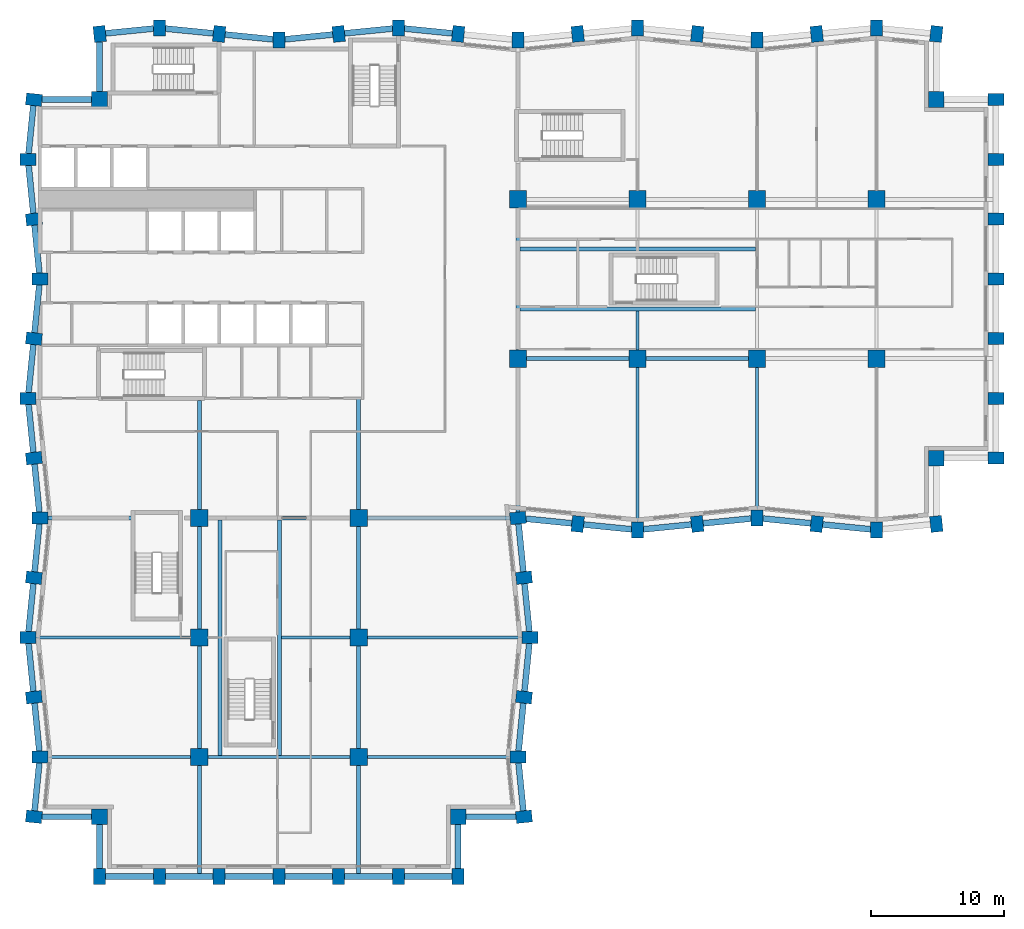
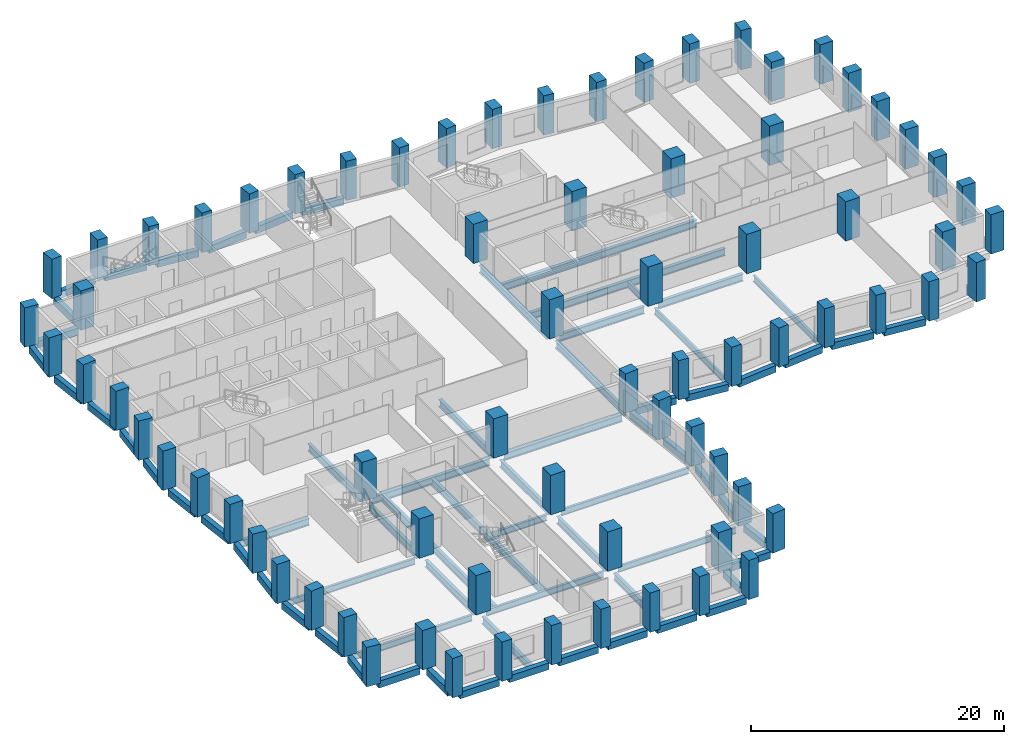
# One storey, part 1 of 11: 74 columns, 69 beams.
"""IFC4 building model written with IfcOpenShell, lengths in metres."""

from ifc_helpers import new_model, si_unit, direction, frame, origin, origin_2d, place, context, subcontext, project, spatial, rectangle, i_section, extrude, material, material_profile, profile_set, type_object, element, save


model = new_model("IFC4")

# Units and contexts
model_context = context("Model", 3, precision=1e-05, world=origin(), true_north=direction((0.0, 1.0)))
body_context = subcontext(model_context, "Body", "Model", "MODEL_VIEW")
ifc_project = project(units=[si_unit("LENGTHUNIT", "METRE"), si_unit("AREAUNIT", "SQUARE_METRE"), si_unit("VOLUMEUNIT", "CUBIC_METRE"), si_unit("PLANEANGLEUNIT", "RADIAN"), si_unit("MASSUNIT", "GRAM", prefix="KILO")], contexts=[model_context])

# Site, building, storey
site_placement = place(None, origin())
site = spatial("IfcSite", under=ifc_project, at=site_placement, CompositionType="ELEMENT")
building_placement = place(site_placement, origin())
building = spatial("IfcBuilding", under=site, at=building_placement, Name="Brondeck Convention Tower", CompositionType="ELEMENT")
storey_placement = place(building_placement, frame((0.0, 0.0, 115.10009765625)))
storey = spatial("IfcBuildingStorey", under=building, at=storey_placement, Name="L27", CompositionType="ELEMENT", Elevation=115.10009765625)

# Columns
ifc_material_1 = material(Name="Concrete C70/85", Category="concrete")
ifc_material_profile_1 = material_profile(ifc_material_1, rectangle(XDim=1.199951171875, YDim=1.199951171875, at=origin_2d()), Name="Corner column 1200x1200 Concrete C70/85")
ifc_profile_set_1 = profile_set([ifc_material_profile_1], Name="Concrete C70/85")
column_type_1 = type_object("IfcColumnType", Name="Corner column 1200x1200 Concrete C70/85", PredefinedType="COLUMN", material=ifc_profile_set_1)
for number, where, z_axis, x_axis, name in (
    (1, (4.5, 4.5, 0.0), (0.0, 0.0, 1.0), (1.0, 0.0, 0.0), "STR-COL-L27-NC-SWB0"),
    (2, (31.5, 4.5, 0.0), (0.0, 0.0, 1.0), (1.0, 0.0, 0.0), "STR-COL-L27-NC-SEB0"),
    (3, (67.5, 31.5, 0.0), (0.0, 0.0, 1.0), (1.0, 0.0, 0.0), "STR-COL-L27-NC-SEA72"),
    (4, (67.5, 58.5, 0.0), (0.0, 0.0, 1.0), (1.0, 0.0, 0.0), "STR-COL-L27-NC-NEA72"),
    (5, (4.5, 58.5, 0.0), (0.0, 0.0, 1.0), (1.0, 0.0, 0.0), "STR-COL-L27-NC-NW"),
):
    element("IfcColumn", number, at=place(storey_placement, frame(where, z_axis=z_axis, x_axis=x_axis)), inside=storey, type_object=column_type_1, Name=name, PredefinedType="COLUMN", context=body_context, shape_type="SweptSolid", body=[
        extrude(rectangle(XDim=1.199951171875, YDim=1.199951171875, at=origin_2d()), origin(), (0.0, 0.0, 1.0), 3.7998046875),
    ])
ifc_material_profile_2 = material_profile(ifc_material_1, rectangle(XDim=1.300048828125, YDim=1.300048828125, at=origin_2d()), Name="Interior column 1300x1300 Concrete C70/85")
ifc_profile_set_2 = profile_set([ifc_material_profile_2], Name="Concrete C70/85")
column_type_2 = type_object("IfcColumnType", Name="Interior column 1300x1300 Concrete C70/85", PredefinedType="COLUMN", material=ifc_profile_set_2)
for number, where, z_axis, x_axis, name in (
    (6, (12.0, 9.0, 0.0), (0.0, 0.0, 1.0), (1.0, 0.0, 0.0), "STR-COL-L27-IC-01"),
    (7, (12.0, 18.0, 0.0), (0.0, 0.0, 1.0), (1.0, 0.0, 0.0), "STR-COL-L27-IC-02"),
    (8, (12.0, 27.0, 0.0), (0.0, 0.0, 1.0), (1.0, 0.0, 0.0), "STR-COL-L27-IC-03"),
    (9, (24.0, 9.0, 0.0), (0.0, 0.0, 1.0), (1.0, 0.0, 0.0), "STR-COL-L27-IC-04"),
    (10, (24.0, 18.0, 0.0), (0.0, 0.0, 1.0), (1.0, 0.0, 0.0), "STR-COL-L27-IC-05"),
    (11, (24.0, 27.0, 0.0), (0.0, 0.0, 1.0), (1.0, 0.0, 0.0), "STR-COL-L27-IC-06"),
    (12, (36.0, 39.0, 0.0), (0.0, 0.0, 1.0), (1.0, 0.0, 0.0), "STR-COL-L27-IC-07"),
    (13, (36.0, 51.0, 0.0), (0.0, 0.0, 1.0), (1.0, 0.0, 0.0), "STR-COL-L27-IC-08"),
    (14, (45.0, 39.0, 0.0), (0.0, 0.0, 1.0), (1.0, 0.0, 0.0), "STR-COL-L27-IC-09"),
    (15, (45.0, 51.0, 0.0), (0.0, 0.0, 1.0), (1.0, 0.0, 0.0), "STR-COL-L27-IC-10"),
    (16, (54.0, 39.0, 0.0), (0.0, 0.0, 1.0), (1.0, 0.0, 0.0), "STR-COL-L27-IC-11"),
    (17, (54.0, 51.0, 0.0), (0.0, 0.0, 1.0), (1.0, 0.0, 0.0), "STR-COL-L27-IC-12"),
    (18, (63.0, 39.0, 0.0), (0.0, 0.0, 1.0), (1.0, 0.0, 0.0), "STR-COL-L27-IC-13"),
    (19, (63.0, 51.0, 0.0), (0.0, 0.0, 1.0), (1.0, 0.0, 0.0), "STR-COL-L27-IC-14"),
):
    element("IfcColumn", number, at=place(storey_placement, frame(where, z_axis=z_axis, x_axis=x_axis)), inside=storey, type_object=column_type_2, Name=name, PredefinedType="COLUMN", context=body_context, shape_type="SweptSolid", body=[
        extrude(rectangle(XDim=1.300048828125, YDim=1.300048828125, at=origin_2d()), origin(), (0.0, 0.0, 1.0), 3.7998046875),
    ])
ifc_material_profile_3 = material_profile(ifc_material_1, rectangle(XDim=0.89990234375, YDim=1.199951171875, at=origin_2d()), Name="Perimeter pier 900x1200 Concrete C70/85")
ifc_profile_set_3 = profile_set([ifc_material_profile_3], Name="Concrete C70/85")
column_type_3 = type_object("IfcColumnType", Name="Perimeter pier 900x1200 Concrete C70/85", PredefinedType="COLUMN", material=ifc_profile_set_3)
for number, where, z_axis, x_axis, name in (
    (20, (4.5, 0.0, 0.0), (0.0, 0.0, 1.0), (1.0, 0.0, 0.0), "STR-COL-L27-PC-B-S0-01"),
    (21, (9.0, 0.0, 0.0), (0.0, 0.0, 1.0), (1.0, 0.0, 0.0), "STR-COL-L27-PC-B-S0-02"),
    (22, (13.5, 0.0, 0.0), (0.0, 0.0, 1.0), (1.0, 0.0, 0.0), "STR-COL-L27-PC-B-S0-03"),
    (23, (18.0, 0.0, 0.0), (0.0, 0.0, 1.0), (1.0, 0.0, 0.0), "STR-COL-L27-PC-B-S0-04"),
    (24, (22.5, 0.0, 0.0), (0.0, 0.0, 1.0), (1.0, 0.0, 0.0), "STR-COL-L27-PC-B-S0-05"),
    (25, (27.0, 0.0, 0.0), (0.0, 0.0, 1.0), (1.0, 0.0, 0.0), "STR-COL-L27-PC-B-S0-06"),
    (26, (31.5, 0.0, 0.0), (0.0, 0.0, 1.0), (1.0, 0.0, 0.0), "STR-COL-L27-PC-B-S0-07"),
    (27, (36.449951171875, 4.5, 0.0), (0.0, 0.0, 1.0), (-0.0995038382, 0.995037178292, 0.0), "STR-COL-L27-PC-B-E-05"),
    (28, (36.0, 9.0, 0.0), (0.0, 0.0, 1.0), (0.0, 1.0, 0.0), "STR-COL-L27-PC-B-E-04"),
    (29, (36.449951171875, 13.5, 0.0), (0.0, 0.0, 1.0), (0.0995038382, 0.995037178292, 0.0), "STR-COL-L27-PC-B-E-03"),
    (30, (36.89990234375, 18.0, 0.0), (0.0, 0.0, 1.0), (0.0, 1.0, 0.0), "STR-COL-L27-PC-B-E-02"),
    (31, (36.449951171875, 22.5, 0.0), (0.0, 0.0, 1.0), (-0.0995038382, 0.995037178292, 0.0), "STR-COL-L27-PC-B-E-01"),
    (32, (36.0, 27.0, 0.0), (0.0, 0.0, 1.0), (-0.0995038382, 0.995037178292, 0.0), "STR-COL-L27-PC-B-E-00"),
    (33, (40.5, 26.550048828125, 0.0), (0.0, 0.0, 1.0), (0.995037178292, -0.0995038382, 0.0), "STR-COL-L27-PC-A-S-01"),
    (34, (45.0, 26.10009765625, 0.0), (0.0, 0.0, 1.0), (1.0, 0.0, 0.0), "STR-COL-L27-PC-A-S-02"),
    (35, (49.5, 26.550048828125, 0.0), (0.0, 0.0, 1.0), (0.995037178292, 0.0995038382, 0.0), "STR-COL-L27-PC-A-S-03"),
    (36, (54.0, 27.0, 0.0), (0.0, 0.0, 1.0), (1.0, 0.0, 0.0), "STR-COL-L27-PC-A-S-04"),
    (37, (58.5, 26.550048828125, 0.0), (0.0, 0.0, 1.0), (0.995037178292, -0.0995038382, 0.0), "STR-COL-L27-PC-A-S-05"),
    (38, (63.0, 26.10009765625, 0.0), (0.0, 0.0, 1.0), (1.0, 0.0, 0.0), "STR-COL-L27-PC-A-S-06"),
    (39, (67.5, 26.550048828125, 0.0), (0.0, 0.0, 1.0), (0.995037178292, 0.0995038382, 0.0), "STR-COL-L27-PC-A-S-07"),
    (40, (72.0, 31.5, 0.0), (0.0, 0.0, 1.0), (0.0, 1.0, 0.0), "STR-COL-L27-PC-A-E72-01"),
    (41, (72.0, 36.0, 0.0), (0.0, 0.0, 1.0), (0.0, 1.0, 0.0), "STR-COL-L27-PC-A-E72-02"),
    (42, (72.0, 40.5, 0.0), (0.0, 0.0, 1.0), (0.0, 1.0, 0.0), "STR-COL-L27-PC-A-E72-03"),
    (43, (72.0, 45.0, 0.0), (0.0, 0.0, 1.0), (0.0, 1.0, 0.0), "STR-COL-L27-PC-A-E72-04"),
    (44, (72.0, 49.5, 0.0), (0.0, 0.0, 1.0), (0.0, 1.0, 0.0), "STR-COL-L27-PC-A-E72-05"),
    (45, (72.0, 54.0, 0.0), (0.0, 0.0, 1.0), (0.0, 1.0, 0.0), "STR-COL-L27-PC-A-E72-06"),
    (46, (72.0, 58.5, 0.0), (0.0, 0.0, 1.0), (0.0, 1.0, 0.0), "STR-COL-L27-PC-A-E72-07"),
    (47, (67.5, 63.449951171875, 0.0), (0.0, 0.0, 1.0), (-0.995037178292, 0.0995038382, 0.0), "STR-COL-L27-PC-A-N-15"),
    (48, (63.0, 63.89990234375, 0.0), (0.0, 0.0, 1.0), (-1.0, 0.0, 0.0), "STR-COL-L27-PC-A-N-14"),
    (49, (58.5, 63.449951171875, 0.0), (0.0, 0.0, 1.0), (-0.995037178292, -0.0995038382, 0.0), "STR-COL-L27-PC-A-N-13"),
    (50, (54.0, 63.0, 0.0), (0.0, 0.0, 1.0), (-1.0, 0.0, 0.0), "STR-COL-L27-PC-A-N-12"),
    (51, (49.5, 63.449951171875, 0.0), (0.0, 0.0, 1.0), (-0.995037178292, 0.0995038382, 0.0), "STR-COL-L27-PC-A-N-11"),
    (52, (45.0, 63.89990234375, 0.0), (0.0, 0.0, 1.0), (-1.0, 0.0, 0.0), "STR-COL-L27-PC-A-N-10"),
    (53, (40.5, 63.449951171875, 0.0), (0.0, 0.0, 1.0), (-0.995037178292, -0.0995038382, 0.0), "STR-COL-L27-PC-A-N-09"),
    (54, (36.0, 63.0, 0.0), (0.0, 0.0, 1.0), (-1.0, 0.0, 0.0), "STR-COL-L27-PC-A-N-08"),
    (55, (31.5, 63.449951171875, 0.0), (0.0, 0.0, 1.0), (-0.995037178292, 0.0995038382, 0.0), "STR-COL-L27-PC-A-N-07"),
    (56, (27.0, 63.89990234375, 0.0), (0.0, 0.0, 1.0), (-1.0, 0.0, 0.0), "STR-COL-L27-PC-A-N-06"),
    (57, (22.5, 63.449951171875, 0.0), (0.0, 0.0, 1.0), (-0.995037178292, -0.0995038382, 0.0), "STR-COL-L27-PC-A-N-05"),
    (58, (18.0, 63.0, 0.0), (0.0, 0.0, 1.0), (-1.0, 0.0, 0.0), "STR-COL-L27-PC-A-N-04"),
    (59, (13.5, 63.449951171875, 0.0), (0.0, 0.0, 1.0), (-0.995037178292, 0.0995038382, 0.0), "STR-COL-L27-PC-A-N-03"),
    (60, (9.0, 63.89990234375, 0.0), (0.0, 0.0, 1.0), (-1.0, 0.0, 0.0), "STR-COL-L27-PC-A-N-02"),
    (61, (4.5, 63.449951171875, 0.0), (0.0, 0.0, 1.0), (-0.995037178292, -0.0995038382, 0.0), "STR-COL-L27-PC-A-N-01"),
    (62, (-0.449951171875, 58.5, 0.0), (0.0, 0.0, 1.0), (-0.0995038382, -0.995037178292, 0.0), "STR-COL-L27-PC-B-W-01"),
    (63, (-0.89990234375, 54.0, 0.0), (0.0, 0.0, 1.0), (0.0, -1.0, 0.0), "STR-COL-L27-PC-B-W-02"),
    (64, (-0.449951171875, 49.5, 0.0), (0.0, 0.0, 1.0), (0.0995038382, -0.995037178292, 0.0), "STR-COL-L27-PC-B-W-03"),
    (65, (0.0, 45.0, 0.0), (0.0, 0.0, 1.0), (0.0, -1.0, 0.0), "STR-COL-L27-PC-B-W-04"),
    (66, (-0.449951171875, 40.5, 0.0), (0.0, 0.0, 1.0), (-0.0995038382, -0.995037178292, 0.0), "STR-COL-L27-PC-B-W-05"),
    (67, (-0.89990234375, 36.0, 0.0), (0.0, 0.0, 1.0), (0.0, -1.0, 0.0), "STR-COL-L27-PC-B-W-06"),
    (68, (-0.449951171875, 31.5, 0.0), (0.0, 0.0, 1.0), (0.0995038382, -0.995037178292, 0.0), "STR-COL-L27-PC-B-W-07"),
    (69, (0.0, 27.0, 0.0), (0.0, 0.0, 1.0), (0.0, -1.0, 0.0), "STR-COL-L27-PC-B-W-08"),
    (70, (-0.449951171875, 22.5, 0.0), (0.0, 0.0, 1.0), (-0.0995038382, -0.995037178292, 0.0), "STR-COL-L27-PC-B-W-09"),
    (71, (-0.89990234375, 18.0, 0.0), (0.0, 0.0, 1.0), (0.0, -1.0, 0.0), "STR-COL-L27-PC-B-W-10"),
    (72, (-0.449951171875, 13.5, 0.0), (0.0, 0.0, 1.0), (0.0995038382, -0.995037178292, 0.0), "STR-COL-L27-PC-B-W-11"),
    (73, (0.0, 9.0, 0.0), (0.0, 0.0, 1.0), (0.0, -1.0, 0.0), "STR-COL-L27-PC-B-W-12"),
    (74, (-0.449951171875, 4.5, 0.0), (0.0, 0.0, 1.0), (-0.0995038382, -0.995037178292, 0.0), "STR-COL-L27-PC-B-W-13"),
):
    element("IfcColumn", number, at=place(storey_placement, frame(where, z_axis=z_axis, x_axis=x_axis)), inside=storey, type_object=column_type_3, Name=name, PredefinedType="COLUMN", context=body_context, shape_type="SweptSolid", body=[
        extrude(rectangle(XDim=0.89990234375, YDim=1.199951171875, at=origin_2d()), origin(), (0.0, 0.0, 1.0), 3.7998046875),
    ])

# Beams
ifc_material_2 = material(Name="Steel S355", Category="steel")
ifc_material_profile_4 = material_profile(ifc_material_2, i_section(OverallWidth=0.219970703125, OverallDepth=0.60009765625, WebThickness=0.011962890625, FlangeThickness=0.01904296875, FilletRadius=0.02392578125, at=origin_2d()), Name="IPE 600")
ifc_profile_set_4 = profile_set([ifc_material_profile_4], Name="Steel S355")
beam_type_1 = type_object("IfcBeamType", Name="Floor beam IPE 600", PredefinedType="BEAM", material=ifc_profile_set_4)
beam_1_placement = place(storey_placement, frame((45.0, 26.699951171875, -0.60009765625), z_axis=(0.0, 1.0, 0.0), x_axis=(-1.0, 0.0, 0.0)))
element("IfcBeam", 75, at=beam_1_placement, inside=storey, type_object=beam_type_1, Name="STR-FB-L27-001", PredefinedType="BEAM", context=body_context, shape_type="SweptSolid", body=[
    extrude(i_section(OverallWidth=0.219970703125, OverallDepth=0.60009765625, WebThickness=0.011962890625, FlangeThickness=0.01904296875, FilletRadius=0.02392578125, at=origin_2d()), origin(), (0.0, 0.0, 1.0), 11.650146484375),
])
for number, where, z_axis, x_axis, name in (
    (76, (54.0, 27.60009765625, -0.60009765625), (0.0, 1.0, 0.0), (-1.0, 0.0, 0.0), "STR-FB-L27-003"),
    (77, (0.60009765625, 9.0, -0.60009765625), (1.0, 0.0, 0.0), (0.0, 1.0, 0.0), "STR-FB-L27-009"),
):
    element("IfcBeam", number, at=place(storey_placement, frame(where, z_axis=z_axis, x_axis=x_axis)), inside=storey, type_object=beam_type_1, Name=name, PredefinedType="BEAM", context=body_context, shape_type="SweptSolid", body=[
        extrude(i_section(OverallWidth=0.219970703125, OverallDepth=0.60009765625, WebThickness=0.011962890625, FlangeThickness=0.01904296875, FilletRadius=0.02392578125, at=origin_2d()), origin(), (0.0, 0.0, 1.0), 10.75),
    ])
beam_2_placement = place(storey_placement, frame((12.64990234375, 9.0, -0.60009765625), z_axis=(1.0, 0.0, 0.0), x_axis=(0.0, 1.0, 0.0)))
element("IfcBeam", 78, at=beam_2_placement, inside=storey, type_object=beam_type_1, Name="STR-FB-L27-010", PredefinedType="BEAM", context=body_context, shape_type="SweptSolid", body=[
    extrude(i_section(OverallWidth=0.219970703125, OverallDepth=0.60009765625, WebThickness=0.011962890625, FlangeThickness=0.01904296875, FilletRadius=0.02392578125, at=origin_2d()), origin(), (0.0, 0.0, 1.0), 10.7001953125),
])
beam_3_placement = place(storey_placement, frame((24.64990234375, 9.0, -0.60009765625), z_axis=(1.0, 0.0, 0.0), x_axis=(0.0, 1.0, 0.0)))
element("IfcBeam", 79, at=beam_3_placement, inside=storey, type_object=beam_type_1, Name="STR-FB-L27-011", PredefinedType="BEAM", context=body_context, shape_type="SweptSolid", body=[
    extrude(i_section(OverallWidth=0.219970703125, OverallDepth=0.60009765625, WebThickness=0.011962890625, FlangeThickness=0.01904296875, FilletRadius=0.02392578125, at=origin_2d()), origin(), (0.0, 0.0, 1.0), 10.75),
])
for number, where, z_axis, x_axis, name in (
    (80, (-0.300048828125, 18.0, -0.60009765625), (1.0, 0.0, 0.0), (0.0, 1.0, 0.0), "STR-FB-L27-012"),
    (81, (24.64990234375, 18.0, -0.60009765625), (1.0, 0.0, 0.0), (0.0, 1.0, 0.0), "STR-FB-L27-013"),
):
    element("IfcBeam", number, at=place(storey_placement, frame(where, z_axis=z_axis, x_axis=x_axis)), inside=storey, type_object=beam_type_1, Name=name, PredefinedType="BEAM", context=body_context, shape_type="SweptSolid", body=[
        extrude(i_section(OverallWidth=0.219970703125, OverallDepth=0.60009765625, WebThickness=0.011962890625, FlangeThickness=0.01904296875, FilletRadius=0.02392578125, at=origin_2d()), origin(), (0.0, 0.0, 1.0), 11.650146484375),
    ])
beam_4_placement = place(storey_placement, frame((45.0, 39.64990234375, -0.60009765625), z_axis=(0.0, 1.0, 0.0), x_axis=(-1.0, 0.0, 0.0)))
element("IfcBeam", 82, at=beam_4_placement, inside=storey, type_object=beam_type_1, Name="STR-FB-L27-014", PredefinedType="BEAM", context=body_context, shape_type="SweptSolid", body=[
    extrude(i_section(OverallWidth=0.219970703125, OverallDepth=0.60009765625, WebThickness=0.011962890625, FlangeThickness=0.01904296875, FilletRadius=0.02392578125, at=origin_2d()), origin(), (0.0, 0.0, 1.0), 2.9501953125),
])
beam_5_placement = place(storey_placement, frame((18.199951171875, 18.0, -0.60009765625), z_axis=(1.0, 0.0, 0.0), x_axis=(0.0, 1.0, 0.0)))
element("IfcBeam", 83, at=beam_5_placement, inside=storey, type_object=beam_type_1, Name="STR-FB-L27-016", PredefinedType="BEAM", context=body_context, shape_type="SweptSolid", body=[
    extrude(i_section(OverallWidth=0.219970703125, OverallDepth=0.60009765625, WebThickness=0.011962890625, FlangeThickness=0.01904296875, FilletRadius=0.02392578125, at=origin_2d()), origin(), (0.0, 0.0, 1.0), 5.150146484375),
])
ifc_material_profile_5 = material_profile(ifc_material_2, i_section(OverallWidth=0.300048828125, OverallDepth=0.699951171875, WebThickness=0.01708984375, FlangeThickness=0.031982421875, FilletRadius=0.027099609375, at=origin_2d()), Name="HEB 700")
ifc_profile_set_5 = profile_set([ifc_material_profile_5], Name="Steel S355")
beam_type_2 = type_object("IfcBeamType", Name="Girder HEB 700", PredefinedType="BEAM", material=ifc_profile_set_5)
for number, where, z_axis, x_axis, name in (
    (84, (36.64990234375, 39.0, -0.650146484375), (1.0, 0.0, 0.0), (0.0, 1.0, 0.0), "STR-GR-L27-001"),
    (85, (45.64990234375, 39.0, -0.650146484375), (1.0, 0.0, 0.0), (0.0, 1.0, 0.0), "STR-GR-L27-002"),
):
    element("IfcBeam", number, at=place(storey_placement, frame(where, z_axis=z_axis, x_axis=x_axis)), inside=storey, type_object=beam_type_2, Name=name, PredefinedType="BEAM", context=body_context, shape_type="SweptSolid", body=[
        extrude(i_section(OverallWidth=0.300048828125, OverallDepth=0.699951171875, WebThickness=0.01708984375, FlangeThickness=0.031982421875, FilletRadius=0.027099609375, at=origin_2d()), origin(), (0.0, 0.0, 1.0), 7.7001953125),
    ])
beam_6_placement = place(storey_placement, frame((36.0, 27.4521484375, -0.650146484375), z_axis=(0.0, 1.0, 0.0), x_axis=(-1.0, 0.0, 0.0)))
element("IfcBeam", 86, at=beam_6_placement, inside=storey, type_object=beam_type_2, Name="STR-GR-L27-009", PredefinedType="BEAM", context=body_context, shape_type="SweptSolid", body=[
    extrude(i_section(OverallWidth=0.300048828125, OverallDepth=0.699951171875, WebThickness=0.01708984375, FlangeThickness=0.031982421875, FilletRadius=0.027099609375, at=origin_2d()), origin(), (0.0, 0.0, 1.0), 10.89794921875),
])
beam_7_placement = place(storey_placement, frame((36.0, 39.64990234375, -0.650146484375), z_axis=(0.0, 1.0, 0.0), x_axis=(-1.0, 0.0, 0.0)))
element("IfcBeam", 87, at=beam_7_placement, inside=storey, type_object=beam_type_2, Name="STR-GR-L27-010", PredefinedType="BEAM", context=body_context, shape_type="SweptSolid", body=[
    extrude(i_section(OverallWidth=0.300048828125, OverallDepth=0.699951171875, WebThickness=0.01708984375, FlangeThickness=0.031982421875, FilletRadius=0.027099609375, at=origin_2d()), origin(), (0.0, 0.0, 1.0), 10.7001953125),
])
beam_8_placement = place(storey_placement, frame((12.0, 35.85009765625, -0.650146484375), z_axis=(0.0, -1.0, 0.0), x_axis=(1.0, 0.0, 0.0)))
element("IfcBeam", 88, at=beam_8_placement, inside=storey, type_object=beam_type_2, Name="STR-GR-L27-013", PredefinedType="BEAM", context=body_context, shape_type="SweptSolid", body=[
    extrude(i_section(OverallWidth=0.300048828125, OverallDepth=0.699951171875, WebThickness=0.01708984375, FlangeThickness=0.031982421875, FilletRadius=0.027099609375, at=origin_2d()), origin(), (0.0, 0.0, 1.0), 8.2001953125),
])
for number, where, z_axis, x_axis, name in (
    (89, (12.0, 26.35009765625, -0.650146484375), (0.0, -1.0, 0.0), (1.0, 0.0, 0.0), "STR-GR-L27-014"),
    (90, (12.0, 17.35009765625, -0.650146484375), (0.0, -1.0, 0.0), (1.0, 0.0, 0.0), "STR-GR-L27-015"),
):
    element("IfcBeam", number, at=place(storey_placement, frame(where, z_axis=z_axis, x_axis=x_axis)), inside=storey, type_object=beam_type_2, Name=name, PredefinedType="BEAM", context=body_context, shape_type="SweptSolid", body=[
        extrude(i_section(OverallWidth=0.300048828125, OverallDepth=0.699951171875, WebThickness=0.01708984375, FlangeThickness=0.031982421875, FilletRadius=0.027099609375, at=origin_2d()), origin(), (0.0, 0.0, 1.0), 7.7001953125),
    ])
beam_9_placement = place(storey_placement, frame((12.0, 8.35009765625, -0.650146484375), z_axis=(0.0, -1.0, 0.0), x_axis=(1.0, 0.0, 0.0)))
element("IfcBeam", 91, at=beam_9_placement, inside=storey, type_object=beam_type_2, Name="STR-GR-L27-016", PredefinedType="BEAM", context=body_context, shape_type="SweptSolid", body=[
    extrude(i_section(OverallWidth=0.300048828125, OverallDepth=0.699951171875, WebThickness=0.01708984375, FlangeThickness=0.031982421875, FilletRadius=0.027099609375, at=origin_2d()), origin(), (0.0, 0.0, 1.0), 8.125),
])
beam_10_placement = place(storey_placement, frame((24.0, 35.955078125, -0.650146484375), z_axis=(0.0, -1.0, 0.0), x_axis=(1.0, 0.0, 0.0)))
element("IfcBeam", 92, at=beam_10_placement, inside=storey, type_object=beam_type_2, Name="STR-GR-L27-017", PredefinedType="BEAM", context=body_context, shape_type="SweptSolid", body=[
    extrude(i_section(OverallWidth=0.300048828125, OverallDepth=0.699951171875, WebThickness=0.01708984375, FlangeThickness=0.031982421875, FilletRadius=0.027099609375, at=origin_2d()), origin(), (0.0, 0.0, 1.0), 8.30517578125),
])
for number, where, z_axis, x_axis, name in (
    (93, (24.0, 26.35009765625, -0.650146484375), (0.0, -1.0, 0.0), (1.0, 0.0, 0.0), "STR-GR-L27-018"),
    (94, (24.0, 17.35009765625, -0.650146484375), (0.0, -1.0, 0.0), (1.0, 0.0, 0.0), "STR-GR-L27-019"),
):
    element("IfcBeam", number, at=place(storey_placement, frame(where, z_axis=z_axis, x_axis=x_axis)), inside=storey, type_object=beam_type_2, Name=name, PredefinedType="BEAM", context=body_context, shape_type="SweptSolid", body=[
        extrude(i_section(OverallWidth=0.300048828125, OverallDepth=0.699951171875, WebThickness=0.01708984375, FlangeThickness=0.031982421875, FilletRadius=0.027099609375, at=origin_2d()), origin(), (0.0, 0.0, 1.0), 7.7001953125),
    ])
beam_11_placement = place(storey_placement, frame((24.0, 8.35009765625, -0.650146484375), z_axis=(0.0, -1.0, 0.0), x_axis=(1.0, 0.0, 0.0)))
element("IfcBeam", 95, at=beam_11_placement, inside=storey, type_object=beam_type_2, Name="STR-GR-L27-020", PredefinedType="BEAM", context=body_context, shape_type="SweptSolid", body=[
    extrude(i_section(OverallWidth=0.300048828125, OverallDepth=0.699951171875, WebThickness=0.01708984375, FlangeThickness=0.031982421875, FilletRadius=0.027099609375, at=origin_2d()), origin(), (0.0, 0.0, 1.0), 8.125),
])
beam_12_placement = place(storey_placement, frame((0.60009765625, 27.0, -0.650146484375), z_axis=(1.0, 0.0, 0.0), x_axis=(0.0, 1.0, 0.0)))
element("IfcBeam", 96, at=beam_12_placement, inside=storey, type_object=beam_type_2, Name="STR-GR-L27-021", PredefinedType="BEAM", context=body_context, shape_type="SweptSolid", body=[
    extrude(i_section(OverallWidth=0.300048828125, OverallDepth=0.699951171875, WebThickness=0.01708984375, FlangeThickness=0.031982421875, FilletRadius=0.027099609375, at=origin_2d()), origin(), (0.0, 0.0, 1.0), 6.27978515625),
])
beam_13_placement = place(storey_placement, frame((12.64990234375, 27.0, -0.650146484375), z_axis=(1.0, 0.0, 0.0), x_axis=(0.0, 1.0, 0.0)))
element("IfcBeam", 97, at=beam_13_placement, inside=storey, type_object=beam_type_2, Name="STR-GR-L27-022", PredefinedType="BEAM", context=body_context, shape_type="SweptSolid", body=[
    extrude(i_section(OverallWidth=0.300048828125, OverallDepth=0.699951171875, WebThickness=0.01708984375, FlangeThickness=0.031982421875, FilletRadius=0.027099609375, at=origin_2d()), origin(), (0.0, 0.0, 1.0), 10.7001953125),
])
beam_14_placement = place(storey_placement, frame((24.64990234375, 27.0, -0.650146484375), z_axis=(1.0, 0.0, 0.0), x_axis=(0.0, 1.0, 0.0)))
element("IfcBeam", 98, at=beam_14_placement, inside=storey, type_object=beam_type_2, Name="STR-GR-L27-023", PredefinedType="BEAM", context=body_context, shape_type="SweptSolid", body=[
    extrude(i_section(OverallWidth=0.300048828125, OverallDepth=0.699951171875, WebThickness=0.01708984375, FlangeThickness=0.031982421875, FilletRadius=0.027099609375, at=origin_2d()), origin(), (0.0, 0.0, 1.0), 10.7470703125),
])
for number, where, z_axis, x_axis, name in (
    (99, (36.14990234375, 42.75, -0.650146484375), (1.0, 0.0, 0.0), (0.0, 1.0, 0.0), "STR-GR-L27-024"),
    (100, (36.14990234375, 47.25, -0.650146484375), (1.0, 0.0, 0.0), (0.0, 1.0, 0.0), "STR-GR-L27-025"),
    (101, (13.550048828125, 9.110107421875, -0.650146484375), (0.0, 1.0, 0.0), (-1.0, 0.0, 0.0), "STR-GR-L27-026"),
    (102, (18.050048828125, 9.110107421875, -0.650146484375), (0.0, 1.0, 0.0), (-1.0, 0.0, 0.0), "STR-GR-L27-027"),
):
    element("IfcBeam", number, at=place(storey_placement, frame(where, z_axis=z_axis, x_axis=x_axis)), inside=storey, type_object=beam_type_2, Name=name, PredefinedType="BEAM", context=body_context, shape_type="SweptSolid", body=[
        extrude(i_section(OverallWidth=0.300048828125, OverallDepth=0.699951171875, WebThickness=0.01708984375, FlangeThickness=0.031982421875, FilletRadius=0.027099609375, at=origin_2d()), origin(), (0.0, 0.0, 1.0), 17.739990234375),
    ])
ifc_material_profile_6 = material_profile(ifc_material_1, rectangle(XDim=0.449951171875, YDim=0.64990234375, at=origin_2d()), Name="Precast spandrel 450x650 Concrete C70/85")
ifc_profile_set_6 = profile_set([ifc_material_profile_6], Name="Concrete C70/85")
beam_type_3 = type_object("IfcBeamType", Name="Precast spandrel 450x650 Concrete C70/85", PredefinedType="SPANDREL", material=ifc_profile_set_6)
for number, where, z_axis, x_axis, name in (
    (103, (4.949951171875, 0.0, -0.3251953125), (1.0, 0.0, 0.0), (0.0, 1.0, 0.0), "STR-SP-L27-001"),
    (104, (9.449951171875, 0.0, -0.3251953125), (1.0, 0.0, 0.0), (0.0, 1.0, 0.0), "STR-SP-L27-002"),
    (105, (13.949951171875, 0.0, -0.3251953125), (1.0, 0.0, 0.0), (0.0, 1.0, 0.0), "STR-SP-L27-003"),
    (106, (18.449951171875, 0.0, -0.3251953125), (1.0, 0.0, 0.0), (0.0, 1.0, 0.0), "STR-SP-L27-004"),
    (107, (22.949951171875, 0.0, -0.3251953125), (1.0, 0.0, 0.0), (0.0, 1.0, 0.0), "STR-SP-L27-005"),
    (108, (27.449951171875, 0.0, -0.3251953125), (1.0, 0.0, 0.0), (0.0, 1.0, 0.0), "STR-SP-L27-006"),
):
    element("IfcBeam", number, at=place(storey_placement, frame(where, z_axis=z_axis, x_axis=x_axis)), inside=storey, type_object=beam_type_3, Name=name, PredefinedType="SPANDREL", context=body_context, shape_type="SweptSolid", body=[
        extrude(rectangle(XDim=0.449951171875, YDim=0.64990234375, at=origin_2d()), origin(), (0.0, 0.0, 1.0), 3.60009765625),
    ])
beam_15_placement = place(storey_placement, frame((31.5, 0.60009765625, -0.3251953125), z_axis=(0.0, 1.0, 0.0), x_axis=(-1.0, 0.0, 0.0)))
element("IfcBeam", 109, at=beam_15_placement, inside=storey, type_object=beam_type_3, Name="STR-SP-L27-007", PredefinedType="SPANDREL", context=body_context, shape_type="SweptSolid", body=[
    extrude(rectangle(XDim=0.449951171875, YDim=0.64990234375, at=origin_2d()), origin(), (0.0, 0.0, 1.0), 3.2998046875),
])
beam_16_placement = place(storey_placement, frame((32.10009765625, 4.5, -0.3251953125), z_axis=(1.0, 0.0, 0.0), x_axis=(0.0, 1.0, 0.0)))
element("IfcBeam", 110, at=beam_16_placement, inside=storey, type_object=beam_type_3, Name="STR-SP-L27-008", PredefinedType="SPANDREL", context=body_context, shape_type="SweptSolid", body=[
    extrude(rectangle(XDim=0.449951171875, YDim=0.64990234375, at=origin_2d()), origin(), (0.0, 0.0, 1.0), 3.746826171875),
])
for number, where, z_axis, x_axis, name in (
    (111, (36.4052734375, 4.94775390625, -0.3251953125), (-0.099537103649, 0.995033851182, 0.0), (-0.995033851182, -0.099537103649, 0.0), "STR-SP-L27-009"),
    (112, (36.044921875, 9.449951171875, -0.3251953125), (0.099537103649, 0.995033851182, 0.0), (-0.995033851182, 0.099537103649, 0.0), "STR-SP-L27-010"),
    (113, (36.494873046875, 13.94775390625, -0.3251953125), (0.099470334057, 0.995040528141, 0.0), (-0.995040528141, 0.099470334057, 0.0), "STR-SP-L27-011"),
    (114, (36.85498046875, 18.449951171875, -0.3251953125), (-0.099470334057, 0.995040528141, 0.0), (-0.995040528141, -0.099470334057, 0.0), "STR-SP-L27-012"),
):
    element("IfcBeam", number, at=place(storey_placement, frame(where, z_axis=z_axis, x_axis=x_axis)), inside=storey, type_object=beam_type_3, Name=name, PredefinedType="SPANDREL", context=body_context, shape_type="SweptSolid", body=[
        extrude(rectangle(XDim=0.449951171875, YDim=0.64990234375, at=origin_2d()), origin(), (0.0, 0.0, 1.0), 3.620361328125),
    ])
beam_17_placement = place(storey_placement, frame((36.4052734375, 22.94775390625, -0.3251953125), z_axis=(-0.099543756114, 0.995033185687, 0.0), x_axis=(-0.995033185687, -0.099543756114, 0.0)))
element("IfcBeam", 115, at=beam_17_placement, inside=storey, type_object=beam_type_3, Name="STR-SP-L27-013", PredefinedType="SPANDREL", context=body_context, shape_type="SweptSolid", body=[
    extrude(rectangle(XDim=0.449951171875, YDim=0.64990234375, at=origin_2d()), origin(), (0.0, 0.0, 1.0), 3.62255859375),
])
beam_18_placement = place(storey_placement, frame((36.609130859375, 26.939208984375, -0.3251953125), z_axis=(0.995032299082, -0.099552618167, 0.0), x_axis=(0.099552618167, 0.995032299082, 0.0)))
element("IfcBeam", 116, at=beam_18_placement, inside=storey, type_object=beam_type_3, Name="STR-SP-L27-014", PredefinedType="SPANDREL", context=body_context, shape_type="SweptSolid", body=[
    extrude(rectangle(XDim=0.449951171875, YDim=0.64990234375, at=origin_2d()), origin(), (0.0, 0.0, 1.0), 3.460205078125),
])
for number, where, z_axis, x_axis, name in (
    (117, (40.94775390625, 26.505126953125, -0.3251953125), (0.995040528141, -0.099470334057, 0.0), (0.099470334057, 0.995040528141, 0.0), "STR-SP-L27-015"),
    (118, (45.449951171875, 26.14501953125, -0.3251953125), (0.995040528141, 0.099470334057, 0.0), (-0.099470334057, 0.995040528141, 0.0), "STR-SP-L27-016"),
    (119, (49.94775390625, 26.5947265625, -0.3251953125), (0.995033851182, 0.099537103649, 0.0), (-0.099537103649, 0.995033851182, 0.0), "STR-SP-L27-017"),
    (120, (54.449951171875, 26.955078125, -0.3251953125), (0.995033851182, -0.099537103649, 0.0), (0.099537103649, 0.995033851182, 0.0), "STR-SP-L27-018"),
    (121, (58.94775390625, 26.505126953125, -0.3251953125), (0.995040528141, -0.099470334057, 0.0), (0.099470334057, 0.995040528141, 0.0), "STR-SP-L27-019"),
    (122, (31.05224609375, 63.494873046875, -0.3251953125), (-0.995040528141, 0.099470334057, 0.0), (-0.099470334057, -0.995040528141, 0.0), "STR-SP-L27-039"),
    (123, (26.550048828125, 63.85498046875, -0.3251953125), (-0.995040528141, -0.099470334057, 0.0), (0.099470334057, -0.995040528141, 0.0), "STR-SP-L27-040"),
    (124, (22.05224609375, 63.4052734375, -0.3251953125), (-0.995033851182, -0.099537103649, 0.0), (0.099537103649, -0.995033851182, 0.0), "STR-SP-L27-041"),
    (125, (17.550048828125, 63.044921875, -0.3251953125), (-0.995033851182, 0.099537103649, 0.0), (-0.099537103649, -0.995033851182, 0.0), "STR-SP-L27-042"),
    (126, (13.05224609375, 63.494873046875, -0.3251953125), (-0.995040528141, 0.099470334057, 0.0), (-0.099470334057, -0.995040528141, 0.0), "STR-SP-L27-043"),
    (127, (8.550048828125, 63.85498046875, -0.3251953125), (-0.995040528141, -0.099470334057, 0.0), (0.099470334057, -0.995040528141, 0.0), "STR-SP-L27-044"),
):
    element("IfcBeam", number, at=place(storey_placement, frame(where, z_axis=z_axis, x_axis=x_axis)), inside=storey, type_object=beam_type_3, Name=name, PredefinedType="SPANDREL", context=body_context, shape_type="SweptSolid", body=[
        extrude(rectangle(XDim=0.449951171875, YDim=0.64990234375, at=origin_2d()), origin(), (0.0, 0.0, 1.0), 3.620361328125),
    ])
for number, where, z_axis, x_axis, name in (
    (128, (4.5, 62.846923828125, -0.3251953125), (0.0, -1.0, 0.0), (1.0, 0.0, 0.0), "STR-SP-L27-045"),
    (129, (3.89990234375, 58.5, -0.3251953125), (-1.0, 0.0, 0.0), (0.0, -1.0, 0.0), "STR-SP-L27-046"),
):
    element("IfcBeam", number, at=place(storey_placement, frame(where, z_axis=z_axis, x_axis=x_axis)), inside=storey, type_object=beam_type_3, Name=name, PredefinedType="SPANDREL", context=body_context, shape_type="SweptSolid", body=[
        extrude(rectangle(XDim=0.449951171875, YDim=0.64990234375, at=origin_2d()), origin(), (0.0, 0.0, 1.0), 3.746826171875),
    ])
for number, where, z_axis, x_axis, name in (
    (130, (-0.494873046875, 58.05224609375, -0.3251953125), (-0.099470334057, -0.995040528141, 0.0), (0.995040528141, -0.099470334057, 0.0), "STR-SP-L27-047"),
    (131, (-0.85498046875, 53.550048828125, -0.3251953125), (0.099470334057, -0.995040528141, 0.0), (0.995040528141, 0.099470334057, 0.0), "STR-SP-L27-048"),
    (132, (-0.4052734375, 49.05224609375, -0.3251953125), (0.099537103649, -0.995033851182, 0.0), (0.995033851182, 0.099537103649, 0.0), "STR-SP-L27-049"),
    (133, (-0.044921875, 44.550048828125, -0.3251953125), (-0.099537103649, -0.995033851182, 0.0), (0.995033851182, -0.099537103649, 0.0), "STR-SP-L27-050"),
    (134, (-0.494873046875, 40.05224609375, -0.3251953125), (-0.099470334057, -0.995040528141, 0.0), (0.995040528141, -0.099470334057, 0.0), "STR-SP-L27-051"),
    (135, (-0.85498046875, 35.550048828125, -0.3251953125), (0.099470334057, -0.995040528141, 0.0), (0.995040528141, 0.099470334057, 0.0), "STR-SP-L27-052"),
    (136, (-0.4052734375, 31.05224609375, -0.3251953125), (0.099537103649, -0.995033851182, 0.0), (0.995033851182, 0.099537103649, 0.0), "STR-SP-L27-053"),
    (137, (-0.044921875, 26.550048828125, -0.3251953125), (-0.099537103649, -0.995033851182, 0.0), (0.995033851182, -0.099537103649, 0.0), "STR-SP-L27-054"),
    (138, (-0.494873046875, 22.05224609375, -0.3251953125), (-0.099470334057, -0.995040528141, 0.0), (0.995040528141, -0.099470334057, 0.0), "STR-SP-L27-055"),
    (139, (-0.85498046875, 17.550048828125, -0.3251953125), (0.099470334057, -0.995040528141, 0.0), (0.995040528141, 0.099470334057, 0.0), "STR-SP-L27-056"),
    (140, (-0.4052734375, 13.05224609375, -0.3251953125), (0.099537103649, -0.995033851182, 0.0), (0.995033851182, 0.099537103649, 0.0), "STR-SP-L27-057"),
    (141, (-0.044921875, 8.550048828125, -0.3251953125), (-0.099537103649, -0.995033851182, 0.0), (0.995033851182, -0.099537103649, 0.0), "STR-SP-L27-058"),
):
    element("IfcBeam", number, at=place(storey_placement, frame(where, z_axis=z_axis, x_axis=x_axis)), inside=storey, type_object=beam_type_3, Name=name, PredefinedType="SPANDREL", context=body_context, shape_type="SweptSolid", body=[
        extrude(rectangle(XDim=0.449951171875, YDim=0.64990234375, at=origin_2d()), origin(), (0.0, 0.0, 1.0), 3.620361328125),
    ])
beam_19_placement = place(storey_placement, frame((0.153076171875, 4.5, -0.3251953125), z_axis=(1.0, 0.0, 0.0), x_axis=(0.0, 1.0, 0.0)))
element("IfcBeam", 142, at=beam_19_placement, inside=storey, type_object=beam_type_3, Name="STR-SP-L27-059", PredefinedType="SPANDREL", context=body_context, shape_type="SweptSolid", body=[
    extrude(rectangle(XDim=0.449951171875, YDim=0.64990234375, at=origin_2d()), origin(), (0.0, 0.0, 1.0), 3.746826171875),
])
beam_20_placement = place(storey_placement, frame((4.5, 3.89990234375, -0.3251953125), z_axis=(0.0, -1.0, 0.0), x_axis=(1.0, 0.0, 0.0)))
element("IfcBeam", 143, at=beam_20_placement, inside=storey, type_object=beam_type_3, Name="STR-SP-L27-060", PredefinedType="SPANDREL", context=body_context, shape_type="SweptSolid", body=[
    extrude(rectangle(XDim=0.449951171875, YDim=0.64990234375, at=origin_2d()), origin(), (0.0, 0.0, 1.0), 3.2998046875),
])

save(model, "model.ifc")
